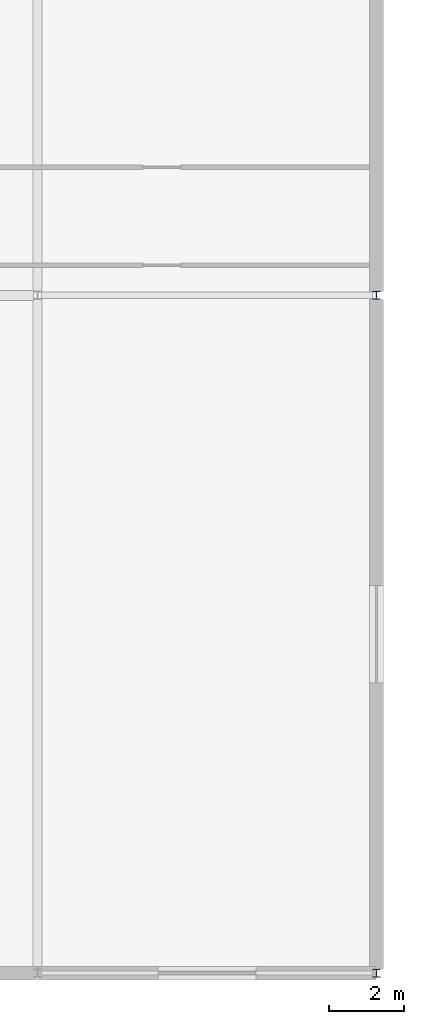
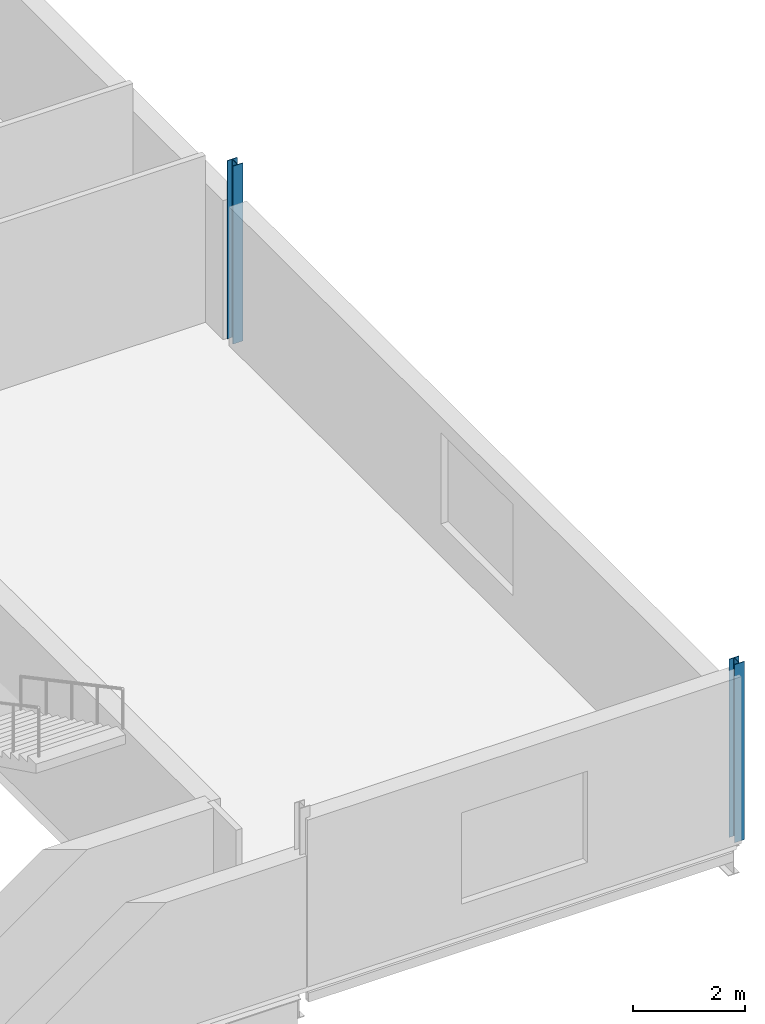
# One storey, part 12 of 35: 2 columns.
"""IFC4 building model written with IfcOpenShell, lengths in metres."""

from ifc_helpers import new_model, si_unit, direction, frame, origin, origin_2d, place, context, subcontext, project, spatial, i_section, extrude, material, material_profile, profile_set, type_object, element, save


model = new_model("IFC4")

# Units and contexts
model_context = context("Model", 3, precision=1e-05, world=origin(), true_north=direction((0.0, 1.0)))
body_context = subcontext(model_context, "Body", "Model", "MODEL_VIEW")
ifc_project = project(units=[si_unit("LENGTHUNIT", "METRE"), si_unit("AREAUNIT", "SQUARE_METRE"), si_unit("VOLUMEUNIT", "CUBIC_METRE"), si_unit("PLANEANGLEUNIT", "RADIAN"), si_unit("MASSUNIT", "GRAM", prefix="KILO")], contexts=[model_context])

# Site, building, storey
site_placement = place(None, origin())
site = spatial("IfcSite", under=ifc_project, at=site_placement, CompositionType="ELEMENT")
building_placement = place(site_placement, origin())
building = spatial("IfcBuilding", under=site, at=building_placement, Name="Kisiwana Market Hall", CompositionType="ELEMENT")
storey_placement = place(building_placement, frame((0.0, 0.0, 61.800048828125)))
storey = spatial("IfcBuildingStorey", under=building, at=storey_placement, Name="L14", CompositionType="ELEMENT", Elevation=61.800048828125)

# Columns
ifc_material = material(Name="Steel S355", Category="steel")
ifc_material_profile = material_profile(ifc_material, i_section(OverallWidth=0.205810546875, OverallDepth=0.209716796875, WebThickness=0.009521484375, FlangeThickness=0.01416015625, FilletRadius=0.01025390625, at=origin_2d()), Name="UC 203x203x60")
ifc_profile_set = profile_set([ifc_material_profile], Name="Steel S355")
column_type = type_object("IfcColumnType", Name="COL-STL-UC060", PredefinedType="COLUMN", material=ifc_profile_set)
for number, where, z_axis, x_axis, name in (
    (1, (198.0, 18.0, 0.0), (0.0, 0.0, 1.0), (1.0, 0.0, 0.0), "Column C/23 (L14) C-1473"),
    (2, (198.0, 36.0, 0.0), (0.0, 0.0, 1.0), (1.0, 0.0, 0.0), "Column E/23 (L14) C-1474"),
):
    element("IfcColumn", number, at=place(storey_placement, frame(where, z_axis=z_axis, x_axis=x_axis)), inside=storey, type_object=column_type, Name=name, PredefinedType="COLUMN", context=body_context, shape_type="SweptSolid", body=[
        extrude(i_section(OverallWidth=0.205810546875, OverallDepth=0.209716796875, WebThickness=0.009521484375, FlangeThickness=0.01416015625, FilletRadius=0.01025390625, at=origin_2d()), origin(), (0.0, 0.0, 1.0), 3.89990234375),
    ])

save(model, "model.ifc")
